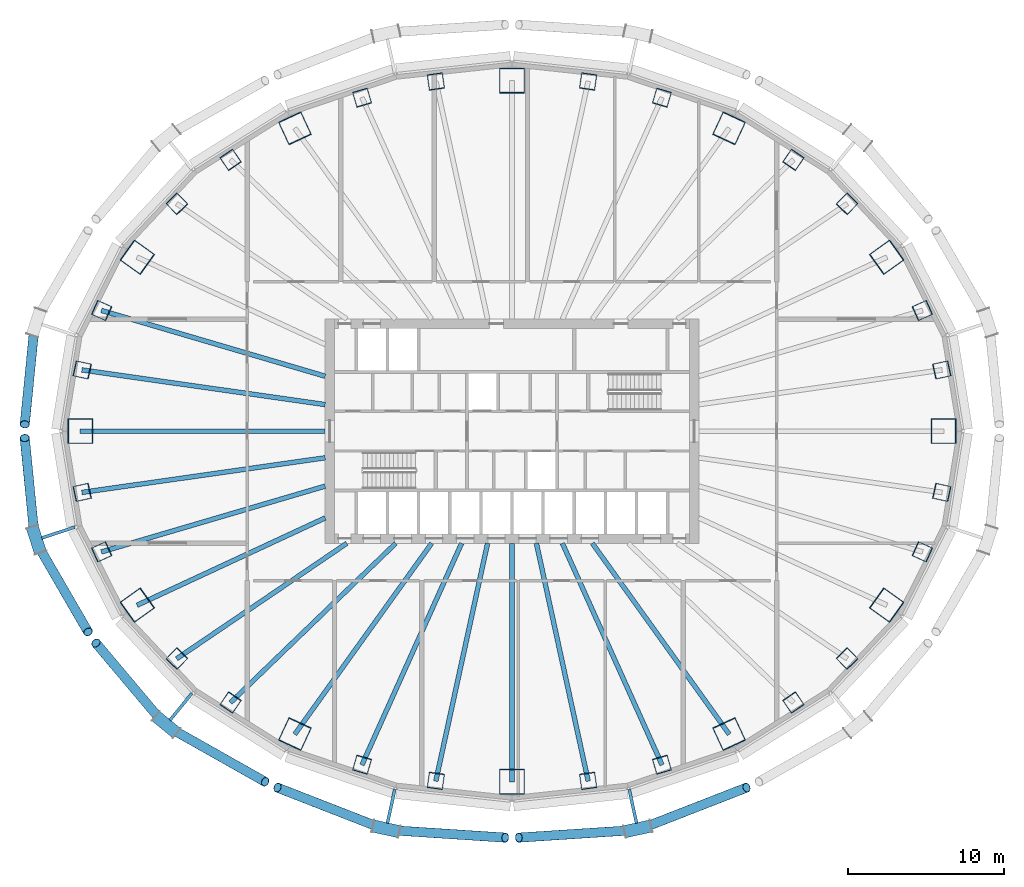
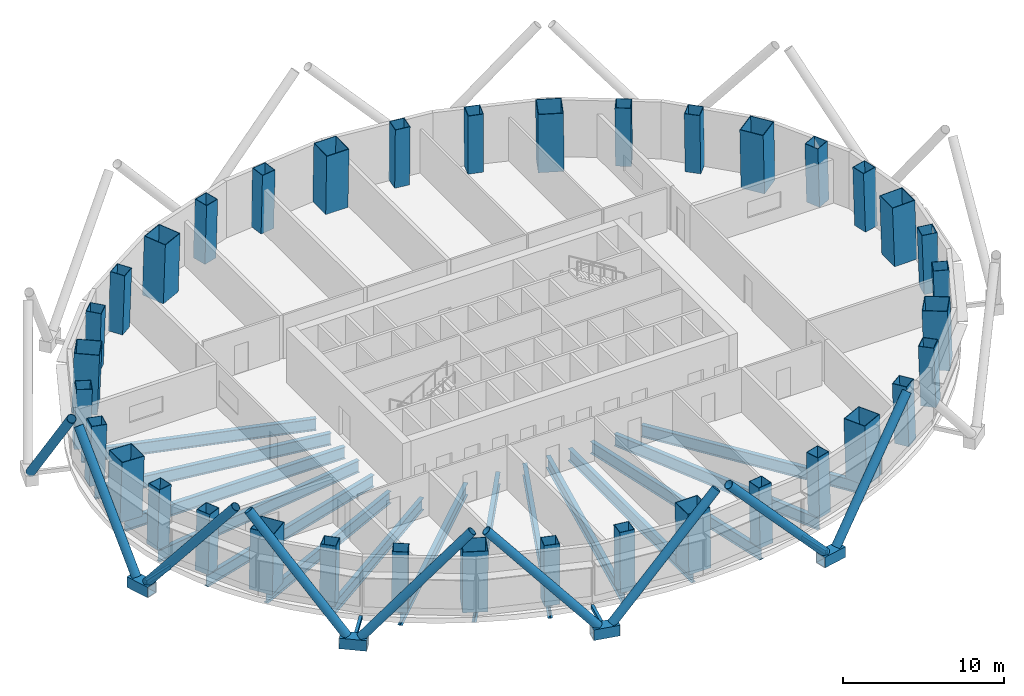
# One storey, part 1 of 14: 36 columns, 17 members, 15 beams.
"""IFC4 building model written with IfcOpenShell, lengths in metres."""

from ifc_helpers import new_model, si_unit, direction, frame, origin, origin_2d, place, context, subcontext, project, spatial, hollow_rectangle, hollow_circle, i_section, extrude, material, material_profile, profile_set, type_object, element, save


model = new_model("IFC4")

# Units and contexts
model_context = context("Model", 3, precision=1e-05, world=origin(), true_north=direction((0.0, 1.0)))
body_context = subcontext(model_context, "Body", "Model", "MODEL_VIEW")
ifc_project = project(units=[si_unit("LENGTHUNIT", "METRE"), si_unit("AREAUNIT", "SQUARE_METRE"), si_unit("VOLUMEUNIT", "CUBIC_METRE"), si_unit("PLANEANGLEUNIT", "RADIAN"), si_unit("MASSUNIT", "GRAM", prefix="KILO")], contexts=[model_context])

# Site, building, storey
site_placement = place(None, origin())
site = spatial("IfcSite", under=ifc_project, at=site_placement, CompositionType="ELEMENT")
building_placement = place(site_placement, origin())
building = spatial("IfcBuilding", under=site, at=building_placement, Name="Siaravel Broadcast Tower", CompositionType="ELEMENT")
storey_placement = place(building_placement, frame((0.0, 0.0, 20.0)))
storey = spatial("IfcBuildingStorey", under=building, at=storey_placement, Name="L03", CompositionType="ELEMENT", Elevation=20.0)

# Columns
ifc_material_1 = material(Name="Concrete C70/85", Category="concrete")
ifc_material_profile_1 = material_profile(ifc_material_1, hollow_rectangle(XDim=1.0, YDim=1.0, WallThickness=0.031982421875, at=origin_2d()))
ifc_profile_set_1 = profile_set([ifc_material_profile_1], Name="Concrete C70/85")
column_type_1 = type_object("IfcColumnType", Name="COL-CFT BOX 1000x1000x32", PredefinedType="COLUMN", material=ifc_profile_set_1)
for number, where, z_axis, x_axis, name in (
    (1, (27.629638671875, 3.935302734375, 0.0), (-0.034051008, -0.004934143, 0.999407916), (0.212784876, -0.977096061, 0.002425844), "Perimeter column C01"),
    (2, (26.379150390625, 7.757568359375, 0.0), (-0.032479153, -0.00970579, 0.999425286), (0.409974603, -0.912086006, 0.004465679), "Perimeter column C02"),
):
    element("IfcColumn", number, at=place(storey_placement, frame(where, z_axis=z_axis, x_axis=x_axis)), inside=storey, type_object=column_type_1, Name=name, PredefinedType="COLUMN", context=body_context, shape_type="SweptSolid", body=[
        extrude(hollow_rectangle(XDim=1.0, YDim=1.0, WallThickness=0.031982421875, at=origin_2d()), origin(), (0.0, 0.0, 1.0), 4.502685546875),
    ])
column_1_placement = place(storey_placement, frame((21.54150390625, 14.617431640625, 0.0), z_axis=(-0.026462027, -0.018219756, 0.999483768), x_axis=(0.720216367, -0.693719784, 0.006422295)))
element("IfcColumn", 3, at=column_1_placement, inside=storey, type_object=column_type_1, Name="Perimeter column C03", PredefinedType="COLUMN", context=body_context, shape_type="SweptSolid", body=[
    extrude(hollow_rectangle(XDim=1.0, YDim=1.0, WallThickness=0.031982421875, at=origin_2d()), origin(), (0.0, 0.0, 1.0), 4.50244140625),
])
column_2_placement = place(storey_placement, frame((18.09130859375, 17.443359375, 0.0), z_axis=(-0.02223319, -0.021690917, 0.999517478), x_axis=(0.827361336, -0.561635635, 0.006215489)))
element("IfcColumn", 4, at=column_2_placement, inside=storey, type_object=column_type_1, Name="Perimeter column C04", PredefinedType="COLUMN", context=body_context, shape_type="SweptSolid", body=[
    extrude(hollow_rectangle(XDim=1.0, YDim=1.0, WallThickness=0.031982421875, at=origin_2d()), origin(), (0.0, 0.0, 1.0), 4.502197265625),
])
for number, where, z_axis, x_axis, name in (
    (5, (9.638671875, 21.439697265625, 0.0), (-0.011822237, -0.026627147, 0.999575525), (0.959611693, -0.28130149, 0.003856137), "Perimeter column C05"),
    (6, (4.8955078125, 22.480712890625, 0.0), (-0.006019677, -0.027929132, 0.99959178), (0.990027097, -0.140862491, 0.002026303), "Perimeter column C06"),
    (7, (-4.8955078125, 22.480712890625, 0.0), (0.006019677, -0.027929132, 0.99959178), (0.990027097, 0.140862491, -0.002026303), "Perimeter column C07"),
    (8, (-9.638671875, 21.439697265625, 0.0), (0.011822237, -0.026627147, 0.999575525), (0.959611693, 0.28130149, -0.003856137), "Perimeter column C08"),
):
    element("IfcColumn", number, at=place(storey_placement, frame(where, z_axis=z_axis, x_axis=x_axis)), inside=storey, type_object=column_type_1, Name=name, PredefinedType="COLUMN", context=body_context, shape_type="SweptSolid", body=[
        extrude(hollow_rectangle(XDim=1.0, YDim=1.0, WallThickness=0.031982421875, at=origin_2d()), origin(), (0.0, 0.0, 1.0), 4.501953125),
    ])
column_3_placement = place(storey_placement, frame((-18.09130859375, 17.443359375, 0.0), z_axis=(0.02223319, -0.021690917, 0.999517478), x_axis=(0.827361336, 0.561635635, -0.006215489)))
element("IfcColumn", 9, at=column_3_placement, inside=storey, type_object=column_type_1, Name="Perimeter column C09", PredefinedType="COLUMN", context=body_context, shape_type="SweptSolid", body=[
    extrude(hollow_rectangle(XDim=1.0, YDim=1.0, WallThickness=0.031982421875, at=origin_2d()), origin(), (0.0, 0.0, 1.0), 4.502197265625),
])
column_4_placement = place(storey_placement, frame((-21.54150390625, 14.617431640625, 0.0), z_axis=(0.026462027, -0.018219756, 0.999483768), x_axis=(0.720216367, 0.693719784, -0.006422295)))
element("IfcColumn", 10, at=column_4_placement, inside=storey, type_object=column_type_1, Name="Perimeter column C10", PredefinedType="COLUMN", context=body_context, shape_type="SweptSolid", body=[
    extrude(hollow_rectangle(XDim=1.0, YDim=1.0, WallThickness=0.031982421875, at=origin_2d()), origin(), (0.0, 0.0, 1.0), 4.50244140625),
])
for number, where, z_axis, x_axis, name in (
    (11, (-26.379150390625, 7.757568359375, 0.0), (0.032479153, -0.00970579, 0.999425286), (0.409974603, 0.912086006, -0.004465679), "Perimeter column C11"),
    (12, (-27.629638671875, 3.935302734375, 0.0), (0.034051008, -0.004934143, 0.999407916), (0.212784876, 0.977096061, -0.002425844), "Perimeter column C12"),
    (13, (-27.629638671875, -3.935302734375, 0.0), (0.034051008, 0.004934143, 0.999407916), (-0.212784876, 0.977096061, 0.002425844), "Perimeter column C13"),
    (14, (-26.379150390625, -7.757568359375, 0.0), (0.032479153, 0.00970579, 0.999425286), (-0.409974603, 0.912086006, 0.004465679), "Perimeter column C14"),
):
    element("IfcColumn", number, at=place(storey_placement, frame(where, z_axis=z_axis, x_axis=x_axis)), inside=storey, type_object=column_type_1, Name=name, PredefinedType="COLUMN", context=body_context, shape_type="SweptSolid", body=[
        extrude(hollow_rectangle(XDim=1.0, YDim=1.0, WallThickness=0.031982421875, at=origin_2d()), origin(), (0.0, 0.0, 1.0), 4.502685546875),
    ])
column_5_placement = place(storey_placement, frame((-21.54150390625, -14.617431640625, 0.0), z_axis=(0.026462027, 0.018219756, 0.999483768), x_axis=(-0.720216367, 0.693719784, 0.006422295)))
element("IfcColumn", 15, at=column_5_placement, inside=storey, type_object=column_type_1, Name="Perimeter column C15", PredefinedType="COLUMN", context=body_context, shape_type="SweptSolid", body=[
    extrude(hollow_rectangle(XDim=1.0, YDim=1.0, WallThickness=0.031982421875, at=origin_2d()), origin(), (0.0, 0.0, 1.0), 4.50244140625),
])
column_6_placement = place(storey_placement, frame((-18.09130859375, -17.443359375, 0.0), z_axis=(0.02223319, 0.021690917, 0.999517478), x_axis=(-0.827361336, 0.561635635, 0.006215489)))
element("IfcColumn", 16, at=column_6_placement, inside=storey, type_object=column_type_1, Name="Perimeter column C16", PredefinedType="COLUMN", context=body_context, shape_type="SweptSolid", body=[
    extrude(hollow_rectangle(XDim=1.0, YDim=1.0, WallThickness=0.031982421875, at=origin_2d()), origin(), (0.0, 0.0, 1.0), 4.502197265625),
])
for number, where, z_axis, x_axis, name in (
    (17, (-9.638671875, -21.439697265625, 0.0), (0.011822237, 0.026627147, 0.999575525), (-0.959611693, 0.28130149, 0.003856137), "Perimeter column C17"),
    (18, (-4.8955078125, -22.480712890625, 0.0), (0.006019677, 0.027929132, 0.99959178), (-0.990027097, 0.140862491, 0.002026303), "Perimeter column C18"),
    (19, (4.8955078125, -22.480712890625, 0.0), (-0.006019677, 0.027929132, 0.99959178), (-0.990027097, -0.140862491, -0.002026303), "Perimeter column C19"),
    (20, (9.638671875, -21.439697265625, 0.0), (-0.011822237, 0.026627147, 0.999575525), (-0.959611693, -0.28130149, -0.003856137), "Perimeter column C20"),
):
    element("IfcColumn", number, at=place(storey_placement, frame(where, z_axis=z_axis, x_axis=x_axis)), inside=storey, type_object=column_type_1, Name=name, PredefinedType="COLUMN", context=body_context, shape_type="SweptSolid", body=[
        extrude(hollow_rectangle(XDim=1.0, YDim=1.0, WallThickness=0.031982421875, at=origin_2d()), origin(), (0.0, 0.0, 1.0), 4.501953125),
    ])
column_7_placement = place(storey_placement, frame((18.09130859375, -17.443359375, 0.0), z_axis=(-0.02223319, 0.021690917, 0.999517478), x_axis=(-0.827361336, -0.561635635, -0.006215489)))
element("IfcColumn", 21, at=column_7_placement, inside=storey, type_object=column_type_1, Name="Perimeter column C21", PredefinedType="COLUMN", context=body_context, shape_type="SweptSolid", body=[
    extrude(hollow_rectangle(XDim=1.0, YDim=1.0, WallThickness=0.031982421875, at=origin_2d()), origin(), (0.0, 0.0, 1.0), 4.502197265625),
])
column_8_placement = place(storey_placement, frame((21.54150390625, -14.617431640625, 0.0), z_axis=(-0.026462027, 0.018219756, 0.999483768), x_axis=(-0.720216367, -0.693719784, -0.006422295)))
element("IfcColumn", 22, at=column_8_placement, inside=storey, type_object=column_type_1, Name="Perimeter column C22", PredefinedType="COLUMN", context=body_context, shape_type="SweptSolid", body=[
    extrude(hollow_rectangle(XDim=1.0, YDim=1.0, WallThickness=0.031982421875, at=origin_2d()), origin(), (0.0, 0.0, 1.0), 4.50244140625),
])
for number, where, z_axis, x_axis, name in (
    (23, (26.379150390625, -7.757568359375, 0.0), (-0.032479153, 0.00970579, 0.999425286), (-0.409974603, -0.912086006, -0.004465679), "Perimeter column C23"),
    (24, (27.629638671875, -3.935302734375, 0.0), (-0.034051008, 0.004934143, 0.999407916), (-0.212784876, -0.977096061, -0.002425844), "Perimeter column C24"),
):
    element("IfcColumn", number, at=place(storey_placement, frame(where, z_axis=z_axis, x_axis=x_axis)), inside=storey, type_object=column_type_1, Name=name, PredefinedType="COLUMN", context=body_context, shape_type="SweptSolid", body=[
        extrude(hollow_rectangle(XDim=1.0, YDim=1.0, WallThickness=0.031982421875, at=origin_2d()), origin(), (0.0, 0.0, 1.0), 4.502685546875),
    ])
ifc_material_profile_2 = material_profile(ifc_material_1, hollow_rectangle(XDim=1.60009765625, YDim=1.60009765625, WallThickness=0.0400390625, at=origin_2d()))
ifc_profile_set_2 = profile_set([ifc_material_profile_2], Name="Concrete C70/85")
column_type_2 = type_object("IfcColumnType", Name="COL-CFT BOX 1600x1600x40", PredefinedType="COLUMN", material=ifc_profile_set_2)
column_9_placement = place(storey_placement, frame((27.75, 0.0, 0.0), z_axis=(-0.034592998, 0.0, 0.999401483), x_axis=(0.0, -1.0, 0.0)))
element("IfcColumn", 25, at=column_9_placement, inside=storey, type_object=column_type_2, Name="Megacolumn MC01", PredefinedType="COLUMN", context=body_context, shape_type="SweptSolid", body=[
    extrude(hollow_rectangle(XDim=1.60009765625, YDim=1.60009765625, WallThickness=0.0400390625, at=origin_2d()), origin(), (0.0, 0.0, 1.0), 4.502685546875),
])
column_10_placement = place(storey_placement, frame((24.085693359375, 11.181884765625, 0.0), z_axis=(-0.029931498, -0.014152393, 0.999451757), x_axis=(0.581764981, -0.813335496, 0.005905691)))
element("IfcColumn", 26, at=column_10_placement, inside=storey, type_object=column_type_2, Name="Megacolumn MC02", PredefinedType="COLUMN", context=body_context, shape_type="SweptSolid", body=[
    extrude(hollow_rectangle(XDim=1.60009765625, YDim=1.60009765625, WallThickness=0.0400390625, at=origin_2d()), origin(), (0.0, 0.0, 1.0), 4.50244140625),
])
column_11_placement = place(storey_placement, frame((13.954833984375, 19.470947265625, 0.0), z_axis=(-0.017299067, -0.024511531, 0.999549862), x_axis=(0.907044428, -0.421000623, 0.005374072)))
element("IfcColumn", 27, at=column_11_placement, inside=storey, type_object=column_type_2, Name="Megacolumn MC03", PredefinedType="COLUMN", context=body_context, shape_type="SweptSolid", body=[
    extrude(hollow_rectangle(XDim=1.60009765625, YDim=1.60009765625, WallThickness=0.0400390625, at=origin_2d()), origin(), (0.0, 0.0, 1.0), 4.501953125),
])
column_12_placement = place(storey_placement, frame((0.0, 22.531494140625, 0.0), z_axis=(0.0, -0.02836315, 0.999597685), x_axis=(1.0, 0.0, 0.0)))
element("IfcColumn", 28, at=column_12_placement, inside=storey, type_object=column_type_2, Name="Megacolumn MC04", PredefinedType="COLUMN", context=body_context, shape_type="SweptSolid", body=[
    extrude(hollow_rectangle(XDim=1.60009765625, YDim=1.60009765625, WallThickness=0.0400390625, at=origin_2d()), origin(), (0.0, 0.0, 1.0), 4.501708984375),
])
column_13_placement = place(storey_placement, frame((-13.954833984375, 19.470947265625, 0.0), z_axis=(0.017299067, -0.024511531, 0.999549862), x_axis=(0.907044428, 0.421000623, -0.005374072)))
element("IfcColumn", 29, at=column_13_placement, inside=storey, type_object=column_type_2, Name="Megacolumn MC05", PredefinedType="COLUMN", context=body_context, shape_type="SweptSolid", body=[
    extrude(hollow_rectangle(XDim=1.60009765625, YDim=1.60009765625, WallThickness=0.0400390625, at=origin_2d()), origin(), (0.0, 0.0, 1.0), 4.501953125),
])
column_14_placement = place(storey_placement, frame((-24.085693359375, 11.181884765625, 0.0), z_axis=(0.029931498, -0.014152393, 0.999451757), x_axis=(0.581764981, 0.813335496, -0.005905691)))
element("IfcColumn", 30, at=column_14_placement, inside=storey, type_object=column_type_2, Name="Megacolumn MC06", PredefinedType="COLUMN", context=body_context, shape_type="SweptSolid", body=[
    extrude(hollow_rectangle(XDim=1.60009765625, YDim=1.60009765625, WallThickness=0.0400390625, at=origin_2d()), origin(), (0.0, 0.0, 1.0), 4.50244140625),
])
column_15_placement = place(storey_placement, frame((-27.75, 0.0, 0.0), z_axis=(0.034592998, 0.0, 0.999401483), x_axis=(0.0, 1.0, 0.0)))
element("IfcColumn", 31, at=column_15_placement, inside=storey, type_object=column_type_2, Name="Megacolumn MC07", PredefinedType="COLUMN", context=body_context, shape_type="SweptSolid", body=[
    extrude(hollow_rectangle(XDim=1.60009765625, YDim=1.60009765625, WallThickness=0.0400390625, at=origin_2d()), origin(), (0.0, 0.0, 1.0), 4.502685546875),
])
column_16_placement = place(storey_placement, frame((-24.085693359375, -11.181884765625, 0.0), z_axis=(0.029931498, 0.014152393, 0.999451757), x_axis=(-0.581764981, 0.813335496, 0.005905691)))
element("IfcColumn", 32, at=column_16_placement, inside=storey, type_object=column_type_2, Name="Megacolumn MC08", PredefinedType="COLUMN", context=body_context, shape_type="SweptSolid", body=[
    extrude(hollow_rectangle(XDim=1.60009765625, YDim=1.60009765625, WallThickness=0.0400390625, at=origin_2d()), origin(), (0.0, 0.0, 1.0), 4.50244140625),
])
column_17_placement = place(storey_placement, frame((-13.954833984375, -19.470947265625, 0.0), z_axis=(0.017299067, 0.024511531, 0.999549862), x_axis=(-0.907044428, 0.421000623, 0.005374072)))
element("IfcColumn", 33, at=column_17_placement, inside=storey, type_object=column_type_2, Name="Megacolumn MC09", PredefinedType="COLUMN", context=body_context, shape_type="SweptSolid", body=[
    extrude(hollow_rectangle(XDim=1.60009765625, YDim=1.60009765625, WallThickness=0.0400390625, at=origin_2d()), origin(), (0.0, 0.0, 1.0), 4.501953125),
])
column_18_placement = place(storey_placement, frame((0.0, -22.531494140625, 0.0), z_axis=(0.0, 0.02836315, 0.999597685), x_axis=(-1.0, 0.0, 0.0)))
element("IfcColumn", 34, at=column_18_placement, inside=storey, type_object=column_type_2, Name="Megacolumn MC10", PredefinedType="COLUMN", context=body_context, shape_type="SweptSolid", body=[
    extrude(hollow_rectangle(XDim=1.60009765625, YDim=1.60009765625, WallThickness=0.0400390625, at=origin_2d()), origin(), (0.0, 0.0, 1.0), 4.501708984375),
])
column_19_placement = place(storey_placement, frame((13.954833984375, -19.470947265625, 0.0), z_axis=(-0.017299067, 0.024511531, 0.999549862), x_axis=(-0.907044428, -0.421000623, -0.005374072)))
element("IfcColumn", 35, at=column_19_placement, inside=storey, type_object=column_type_2, Name="Megacolumn MC11", PredefinedType="COLUMN", context=body_context, shape_type="SweptSolid", body=[
    extrude(hollow_rectangle(XDim=1.60009765625, YDim=1.60009765625, WallThickness=0.0400390625, at=origin_2d()), origin(), (0.0, 0.0, 1.0), 4.501953125),
])
column_20_placement = place(storey_placement, frame((24.085693359375, -11.181884765625, 0.0), z_axis=(-0.029931498, 0.014152393, 0.999451757), x_axis=(-0.581764981, -0.813335496, -0.005905691)))
element("IfcColumn", 36, at=column_20_placement, inside=storey, type_object=column_type_2, Name="Megacolumn MC12", PredefinedType="COLUMN", context=body_context, shape_type="SweptSolid", body=[
    extrude(hollow_rectangle(XDim=1.60009765625, YDim=1.60009765625, WallThickness=0.0400390625, at=origin_2d()), origin(), (0.0, 0.0, 1.0), 4.50244140625),
])

# Beams
ifc_material_2 = material(Name="Steel S355", Category="steel")
ifc_material_profile_3 = material_profile(ifc_material_2, i_section(OverallWidth=0.30322265625, OverallDepth=0.903076171875, WebThickness=0.01513671875, FlangeThickness=0.020263671875, FilletRadius=0.01904296875, at=origin_2d()))
ifc_profile_set_3 = profile_set([ifc_material_profile_3], Name="Steel S355")
beam_type = type_object("IfcBeamType", Name="BM-UB 914x305x201", PredefinedType="BEAM", material=ifc_profile_set_3)
beam_1_placement = place(storey_placement, frame((-26.379150390625, 7.757568359375, -0.8515625), z_axis=(0.959377173, -0.282126639, 0.0), x_axis=(0.282126639, 0.959377173, 0.0)))
element("IfcBeam", 37, at=beam_1_placement, inside=storey, type_object=beam_type, Name="Radial beam RB17", PredefinedType="BEAM", context=body_context, shape_type="SweptSolid", body=[
    extrude(i_section(OverallWidth=0.30322265625, OverallDepth=0.903076171875, WebThickness=0.01513671875, FlangeThickness=0.020263671875, FilletRadius=0.01904296875, at=origin_2d()), origin(), (0.0, 0.0, 1.0), 14.988037109375),
])
beam_2_placement = place(storey_placement, frame((-27.629638671875, 3.935302734375, -0.8515625), z_axis=(0.990006939, -0.141018655, 0.0), x_axis=(0.141018655, 0.990006939, 0.0)))
element("IfcBeam", 38, at=beam_2_placement, inside=storey, type_object=beam_type, Name="Radial beam RB18", PredefinedType="BEAM", context=body_context, shape_type="SweptSolid", body=[
    extrude(i_section(OverallWidth=0.30322265625, OverallDepth=0.903076171875, WebThickness=0.01513671875, FlangeThickness=0.020263671875, FilletRadius=0.01904296875, at=origin_2d()), origin(), (0.0, 0.0, 1.0), 15.787353515625),
])
beam_3_placement = place(storey_placement, frame((-27.75, 0.0, -0.8515625), z_axis=(1.0, 0.0, 0.0), x_axis=(0.0, 1.0, 0.0)))
element("IfcBeam", 39, at=beam_3_placement, inside=storey, type_object=beam_type, Name="Radial beam RB19", PredefinedType="BEAM", context=body_context, shape_type="SweptSolid", body=[
    extrude(i_section(OverallWidth=0.30322265625, OverallDepth=0.903076171875, WebThickness=0.01513671875, FlangeThickness=0.020263671875, FilletRadius=0.01904296875, at=origin_2d()), origin(), (0.0, 0.0, 1.0), 15.75),
])
beam_4_placement = place(storey_placement, frame((-27.629638671875, -3.935302734375, -0.8515625), z_axis=(0.990006939, 0.141018655, 0.0), x_axis=(-0.141018655, 0.990006939, 0.0)))
element("IfcBeam", 40, at=beam_4_placement, inside=storey, type_object=beam_type, Name="Radial beam RB20", PredefinedType="BEAM", context=body_context, shape_type="SweptSolid", body=[
    extrude(i_section(OverallWidth=0.30322265625, OverallDepth=0.903076171875, WebThickness=0.01513671875, FlangeThickness=0.020263671875, FilletRadius=0.01904296875, at=origin_2d()), origin(), (0.0, 0.0, 1.0), 15.787353515625),
])
beam_5_placement = place(storey_placement, frame((-26.379150390625, -7.757568359375, -0.8515625), z_axis=(0.959377173, 0.282126639, 0.0), x_axis=(-0.282126639, 0.959377173, 0.0)))
element("IfcBeam", 41, at=beam_5_placement, inside=storey, type_object=beam_type, Name="Radial beam RB21", PredefinedType="BEAM", context=body_context, shape_type="SweptSolid", body=[
    extrude(i_section(OverallWidth=0.30322265625, OverallDepth=0.903076171875, WebThickness=0.01513671875, FlangeThickness=0.020263671875, FilletRadius=0.01904296875, at=origin_2d()), origin(), (0.0, 0.0, 1.0), 14.988037109375),
])
beam_6_placement = place(storey_placement, frame((-24.085693359375, -11.181884765625, -0.8515625), z_axis=(0.907019715, 0.421088158, 0.0), x_axis=(-0.421088158, 0.907019715, 0.0)))
element("IfcBeam", 42, at=beam_6_placement, inside=storey, type_object=beam_type, Name="Radial beam RB22", PredefinedType="BEAM", context=body_context, shape_type="SweptSolid", body=[
    extrude(i_section(OverallWidth=0.30322265625, OverallDepth=0.903076171875, WebThickness=0.01513671875, FlangeThickness=0.020263671875, FilletRadius=0.01904296875, at=origin_2d()), origin(), (0.0, 0.0, 1.0), 13.32470703125),
])
beam_7_placement = place(storey_placement, frame((-21.54150390625, -14.617431640625, -0.8515625), z_axis=(0.827473014, 0.561505486, 0.0), x_axis=(-0.561505486, 0.827473014, 0.0)))
element("IfcBeam", 43, at=beam_7_placement, inside=storey, type_object=beam_type, Name="Radial beam RB23", PredefinedType="BEAM", context=body_context, shape_type="SweptSolid", body=[
    extrude(i_section(OverallWidth=0.30322265625, OverallDepth=0.903076171875, WebThickness=0.01513671875, FlangeThickness=0.020263671875, FilletRadius=0.01904296875, at=origin_2d()), origin(), (0.0, 0.0, 1.0), 13.2099609375),
])
beam_8_placement = place(storey_placement, frame((-18.09130859375, -17.443359375, -0.8515625), z_axis=(0.719884443, 0.694093933, 0.0), x_axis=(-0.694093933, 0.719884443, 0.0)))
element("IfcBeam", 44, at=beam_8_placement, inside=storey, type_object=beam_type, Name="Radial beam RB24", PredefinedType="BEAM", context=body_context, shape_type="SweptSolid", body=[
    extrude(i_section(OverallWidth=0.30322265625, OverallDepth=0.903076171875, WebThickness=0.01513671875, FlangeThickness=0.020263671875, FilletRadius=0.01904296875, at=origin_2d()), origin(), (0.0, 0.0, 1.0), 14.758056640625),
])
beam_9_placement = place(storey_placement, frame((-13.954833984375, -19.470947265625, -0.8515625), z_axis=(0.582539241, 0.812802579, 0.0), x_axis=(-0.812802579, 0.582539241, 0.0)))
element("IfcBeam", 45, at=beam_9_placement, inside=storey, type_object=beam_type, Name="Radial beam RB25", PredefinedType="BEAM", context=body_context, shape_type="SweptSolid", body=[
    extrude(i_section(OverallWidth=0.30322265625, OverallDepth=0.903076171875, WebThickness=0.01513671875, FlangeThickness=0.020263671875, FilletRadius=0.01904296875, at=origin_2d()), origin(), (0.0, 0.0, 1.0), 15.09716796875),
])
beam_10_placement = place(storey_placement, frame((-9.638671875, -21.439697265625, -0.8515625), z_axis=(0.410043452, 0.912065989, 0.0), x_axis=(-0.912065989, 0.410043452, 0.0)))
element("IfcBeam", 46, at=beam_10_placement, inside=storey, type_object=beam_type, Name="Radial beam RB26", PredefinedType="BEAM", context=body_context, shape_type="SweptSolid", body=[
    extrude(i_section(OverallWidth=0.30322265625, OverallDepth=0.903076171875, WebThickness=0.01513671875, FlangeThickness=0.020263671875, FilletRadius=0.01904296875, at=origin_2d()), origin(), (0.0, 0.0, 1.0), 15.612548828125),
])
beam_11_placement = place(storey_placement, frame((-4.8955078125, -22.480712890625, -0.8515625), z_axis=(0.212779613, 0.977100218, 0.0), x_axis=(-0.977100218, 0.212779613, 0.0)))
element("IfcBeam", 47, at=beam_11_placement, inside=storey, type_object=beam_type, Name="Radial beam RB27", PredefinedType="BEAM", context=body_context, shape_type="SweptSolid", body=[
    extrude(i_section(OverallWidth=0.30322265625, OverallDepth=0.903076171875, WebThickness=0.01513671875, FlangeThickness=0.020263671875, FilletRadius=0.01904296875, at=origin_2d()), origin(), (0.0, 0.0, 1.0), 15.638916015625),
])
beam_12_placement = place(storey_placement, frame((0.0, -22.531494140625, -0.8515625), z_axis=(0.0, 1.0, 0.0), x_axis=(-1.0, 0.0, 0.0)))
element("IfcBeam", 48, at=beam_12_placement, inside=storey, type_object=beam_type, Name="Radial beam RB28", PredefinedType="BEAM", context=body_context, shape_type="SweptSolid", body=[
    extrude(i_section(OverallWidth=0.30322265625, OverallDepth=0.903076171875, WebThickness=0.01513671875, FlangeThickness=0.020263671875, FilletRadius=0.01904296875, at=origin_2d()), origin(), (0.0, 0.0, 1.0), 15.33154296875),
])
beam_13_placement = place(storey_placement, frame((4.8955078125, -22.480712890625, -0.8515625), z_axis=(-0.212779613, 0.977100218, 0.0), x_axis=(-0.977100218, -0.212779613, 0.0)))
element("IfcBeam", 49, at=beam_13_placement, inside=storey, type_object=beam_type, Name="Radial beam RB29", PredefinedType="BEAM", context=body_context, shape_type="SweptSolid", body=[
    extrude(i_section(OverallWidth=0.30322265625, OverallDepth=0.903076171875, WebThickness=0.01513671875, FlangeThickness=0.020263671875, FilletRadius=0.01904296875, at=origin_2d()), origin(), (0.0, 0.0, 1.0), 15.638916015625),
])
beam_14_placement = place(storey_placement, frame((9.638671875, -21.439697265625, -0.8515625), z_axis=(-0.410043452, 0.912065989, 0.0), x_axis=(-0.912065989, -0.410043452, 0.0)))
element("IfcBeam", 50, at=beam_14_placement, inside=storey, type_object=beam_type, Name="Radial beam RB30", PredefinedType="BEAM", context=body_context, shape_type="SweptSolid", body=[
    extrude(i_section(OverallWidth=0.30322265625, OverallDepth=0.903076171875, WebThickness=0.01513671875, FlangeThickness=0.020263671875, FilletRadius=0.01904296875, at=origin_2d()), origin(), (0.0, 0.0, 1.0), 15.612548828125),
])
beam_15_placement = place(storey_placement, frame((13.954833984375, -19.470947265625, -0.8515625), z_axis=(-0.582539241, 0.812802579, 0.0), x_axis=(-0.812802579, -0.582539241, 0.0)))
element("IfcBeam", 51, at=beam_15_placement, inside=storey, type_object=beam_type, Name="Radial beam RB31", PredefinedType="BEAM", context=body_context, shape_type="SweptSolid", body=[
    extrude(i_section(OverallWidth=0.30322265625, OverallDepth=0.903076171875, WebThickness=0.01513671875, FlangeThickness=0.020263671875, FilletRadius=0.01904296875, at=origin_2d()), origin(), (0.0, 0.0, 1.0), 15.09716796875),
])

# Members
ifc_material_3 = material(Name="Steel S460", Category="steel")
ifc_material_profile_4 = material_profile(ifc_material_3, hollow_circle(Radius=0.304931640625, WallThickness=0.02490234375, at=origin_2d()))
ifc_profile_set_4 = profile_set([ifc_material_profile_4], Name="Steel S460")
member_type_1 = type_object("IfcMemberType", Name="Diagrid diagonal CHS 610x25", PredefinedType="BRACE", material=ifc_profile_set_4)
for number, where, z_axis, x_axis, name in (
    (52, (-30.69091796875, 6.558349609375, 0.169921875), (-0.060496308, -0.608578782, 0.791183963), (0.995095554, -0.098918347, 0.0), "Diagrid diagonal R02 station 33A"),
    (53, (-30.69091796875, -6.558349609375, 0.169921875), (-0.060496308, 0.608578782, 0.791183963), (-0.995095554, -0.098918347, 0.0), "Diagrid diagonal R02 station 39C"),
):
    element("IfcMember", number, at=place(storey_placement, frame(where, z_axis=z_axis, x_axis=x_axis)), inside=storey, type_object=member_type_1, Name=name, PredefinedType="BRACE", context=body_context, shape_type="SweptSolid", body=[
        extrude(hollow_circle(Radius=0.304931640625, WallThickness=0.02490234375, at=origin_2d()), origin(), (0.0, 0.0, 1.0), 10.060791015625),
    ])
member_1_placement = place(storey_placement, frame((-30.419921875, -7.38623046875, 0.169921875), z_axis=(0.312915472, -0.540560041, 0.780947341), x_axis=(0.86545429, 0.500987896, 0.0)))
element("IfcMember", 54, at=member_1_placement, inside=storey, type_object=member_type_1, Name="Diagrid diagonal R02 station 39A", PredefinedType="BRACE", context=body_context, shape_type="SweptSolid", body=[
    extrude(hollow_circle(Radius=0.304931640625, WallThickness=0.02490234375, at=origin_2d()), origin(), (0.0, 0.0, 1.0), 10.192626953125),
])
member_2_placement = place(storey_placement, frame((-22.543701171875, -18.57568359375, 0.169921875), z_axis=(-0.407345793, 0.483530055, 0.774769702), x_axis=(-0.764784478, -0.644286196, 0.0)))
element("IfcMember", 55, at=member_2_placement, inside=storey, type_object=member_type_1, Name="Diagrid diagonal R02 station 45C", PredefinedType="BRACE", context=body_context, shape_type="SweptSolid", body=[
    extrude(hollow_circle(Radius=0.304931640625, WallThickness=0.02490234375, at=origin_2d()), origin(), (0.0, 0.0, 1.0), 10.27392578125),
])
member_3_placement = place(storey_placement, frame((-21.869873046875, -19.127685546875, 0.169921875), z_axis=(0.570738509, -0.322145135, 0.755301308), x_axis=(0.491541189, 0.870854327, 0.0)))
element("IfcMember", 56, at=member_3_placement, inside=storey, type_object=member_type_1, Name="Diagrid diagonal R02 station 45A", PredefinedType="BRACE", context=body_context, shape_type="SweptSolid", body=[
    extrude(hollow_circle(Radius=0.304931640625, WallThickness=0.02490234375, at=origin_2d()), origin(), (0.0, 0.0, 1.0), 10.538818359375),
])
member_4_placement = place(storey_placement, frame((-8.5078125, -25.450439453125, 0.169921875), z_axis=(-0.617311075, 0.240454714, 0.749071804), x_axis=(-0.362956638, -0.931806031, 0.0)))
element("IfcMember", 57, at=member_4_placement, inside=storey, type_object=member_type_1, Name="Diagrid diagonal R02 station 51C", PredefinedType="BRACE", context=body_context, shape_type="SweptSolid", body=[
    extrude(hollow_circle(Radius=0.304931640625, WallThickness=0.02490234375, at=origin_2d()), origin(), (0.0, 0.0, 1.0), 10.62646484375),
])
for number, where, z_axis, x_axis, name in (
    (58, (-7.656982421875, -25.63720703125, 0.169921875), (0.671269626, -0.043776974, 0.739919364), (0.065076946, 0.997880249, 0.0), "Diagrid diagonal R02 station 51A"),
    (59, (7.656982421875, -25.63720703125, 0.169921875), (-0.671269626, -0.043776974, 0.739919364), (0.065076946, -0.997880249, 0.0), "Diagrid diagonal R02 station 57C"),
):
    element("IfcMember", number, at=place(storey_placement, frame(where, z_axis=z_axis, x_axis=x_axis)), inside=storey, type_object=member_type_1, Name=name, PredefinedType="BRACE", context=body_context, shape_type="SweptSolid", body=[
        extrude(hollow_circle(Radius=0.304931640625, WallThickness=0.02490234375, at=origin_2d()), origin(), (0.0, 0.0, 1.0), 10.7578125),
    ])
member_5_placement = place(storey_placement, frame((8.5078125, -25.450439453125, 0.169921875), z_axis=(0.617311075, 0.240454714, 0.749071804), x_axis=(-0.362956638, 0.931806031, 0.0)))
element("IfcMember", 60, at=member_5_placement, inside=storey, type_object=member_type_1, Name="Diagrid diagonal R02 station 57A", PredefinedType="BRACE", context=body_context, shape_type="SweptSolid", body=[
    extrude(hollow_circle(Radius=0.304931640625, WallThickness=0.02490234375, at=origin_2d()), origin(), (0.0, 0.0, 1.0), 10.62646484375),
])
ifc_material_profile_5 = material_profile(ifc_material_3, hollow_rectangle(XDim=0.800048828125, YDim=0.800048828125, WallThickness=0.050048828125, at=origin_2d()))
ifc_profile_set_5 = profile_set([ifc_material_profile_5], Name="Steel S460")
member_type_2 = type_object("IfcMemberType", Name="Diagrid node BOX 800x800x50", PredefinedType="USERDEFINED", material=ifc_profile_set_5)
member_6_placement = place(storey_placement, frame((-30.822998046875, -6.154296875, -0.199951171875), z_axis=(0.310903955, -0.950441335, 0.0), x_axis=(0.950441335, 0.310903955, 0.0)))
element("IfcMember", 61, at=member_6_placement, inside=storey, type_object=member_type_2, Name="Diagrid node R02 station 39", ObjectType="DIAGRID NODE", PredefinedType="USERDEFINED", context=body_context, shape_type="SweptSolid", body=[
    extrude(hollow_rectangle(XDim=0.800048828125, YDim=0.800048828125, WallThickness=0.050048828125, at=origin_2d()), origin(), (0.0, 0.0, 1.0), 1.72119140625),
])
member_7_placement = place(storey_placement, frame((-22.872314453125, -18.306396484375, -0.199951171875), z_axis=(0.773577923, -0.633701189, 0.0), x_axis=(0.633701189, 0.773577923, 0.0)))
element("IfcMember", 62, at=member_7_placement, inside=storey, type_object=member_type_2, Name="Diagrid node R02 station 45", ObjectType="DIAGRID NODE", PredefinedType="USERDEFINED", context=body_context, shape_type="SweptSolid", body=[
    extrude(hollow_rectangle(XDim=0.800048828125, YDim=0.800048828125, WallThickness=0.050048828125, at=origin_2d()), origin(), (0.0, 0.0, 1.0), 1.720947265625),
])
for number, where, z_axis, x_axis, name in (
    (63, (-8.923095703125, -25.359375, -0.199951171875), (0.976761004, -0.214331379, 0.0), (0.214331379, 0.976761004, 0.0), "Diagrid node R02 station 51"),
    (64, (7.241943359375, -25.728271484375, -0.199951171875), (0.976761004, 0.214331379, 0.0), (-0.214331379, 0.976761004, 0.0), "Diagrid node R02 station 57"),
):
    element("IfcMember", number, at=place(storey_placement, frame(where, z_axis=z_axis, x_axis=x_axis)), inside=storey, type_object=member_type_2, Name=name, ObjectType="DIAGRID NODE", PredefinedType="USERDEFINED", context=body_context, shape_type="SweptSolid", body=[
        extrude(hollow_rectangle(XDim=0.800048828125, YDim=0.800048828125, WallThickness=0.050048828125, at=origin_2d()), origin(), (0.0, 0.0, 1.0), 1.72119140625),
    ])
ifc_material_profile_6 = material_profile(ifc_material_3, hollow_rectangle(XDim=0.199951171875, YDim=0.300048828125, WallThickness=0.012451171875, at=origin_2d()))
ifc_profile_set_6 = profile_set([ifc_material_profile_6], Name="Steel S460")
member_type_3 = type_object("IfcMemberType", Name="Diagrid node arm RHS 300x200x12.5", PredefinedType="STRUT", material=ifc_profile_set_6)
member_8_placement = place(storey_placement, frame((-28.084228515625, -6.1640625, -0.199951171875), z_axis=(-0.950431253, -0.310934772, 0.0), x_axis=(0.310934772, -0.950431253, 0.0)))
element("IfcMember", 65, at=member_8_placement, inside=storey, type_object=member_type_3, Name="Node arm R02 station 39", PredefinedType="STRUT", context=body_context, shape_type="SweptSolid", body=[
    extrude(hollow_rectangle(XDim=0.199951171875, YDim=0.300048828125, WallThickness=0.012451171875, at=origin_2d()), origin(), (0.0, 0.0, 1.0), 2.22998046875),
])
member_9_placement = place(storey_placement, frame((-20.55908203125, -16.840087890625, -0.199951171875), z_axis=(-0.633625199, -0.773640166, 0.0), x_axis=(0.773640166, -0.633625199, 0.0)))
element("IfcMember", 66, at=member_9_placement, inside=storey, type_object=member_type_3, Name="Node arm R02 station 45", PredefinedType="STRUT", context=body_context, shape_type="SweptSolid", body=[
    extrude(hollow_rectangle(XDim=0.199951171875, YDim=0.300048828125, WallThickness=0.012451171875, at=origin_2d()), origin(), (0.0, 0.0, 1.0), 2.230224609375),
])
for number, where, z_axis, x_axis, name in (
    (67, (-7.525146484375, -23.004150390625, -0.199951171875), (-0.214356346, -0.976755526, 0.0), (0.976755526, -0.214356346, 0.0), "Node arm R02 station 51"),
    (68, (7.525146484375, -23.004150390625, -0.199951171875), (0.214356346, -0.976755526, 0.0), (0.976755526, 0.214356346, 0.0), "Node arm R02 station 57"),
):
    element("IfcMember", number, at=place(storey_placement, frame(where, z_axis=z_axis, x_axis=x_axis)), inside=storey, type_object=member_type_3, Name=name, PredefinedType="STRUT", context=body_context, shape_type="SweptSolid", body=[
        extrude(hollow_rectangle(XDim=0.199951171875, YDim=0.300048828125, WallThickness=0.012451171875, at=origin_2d()), origin(), (0.0, 0.0, 1.0), 2.22998046875),
    ])

save(model, "model.ifc")
